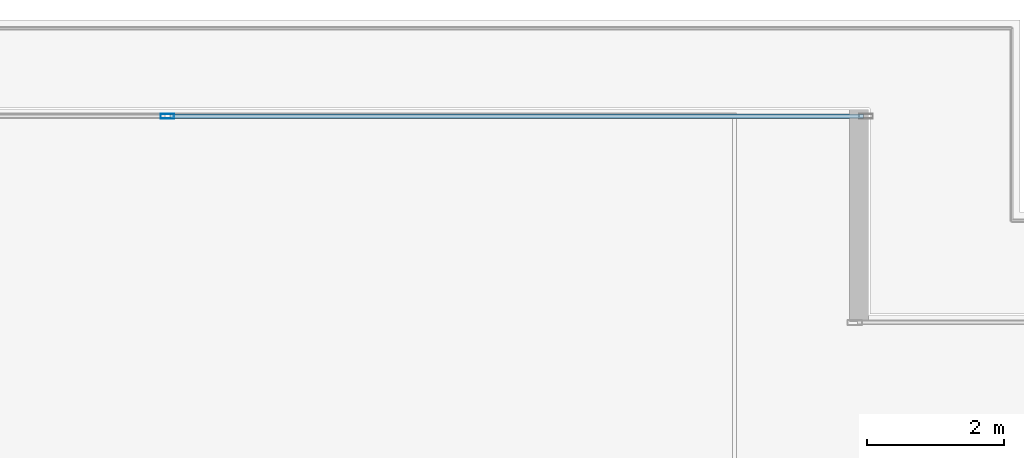
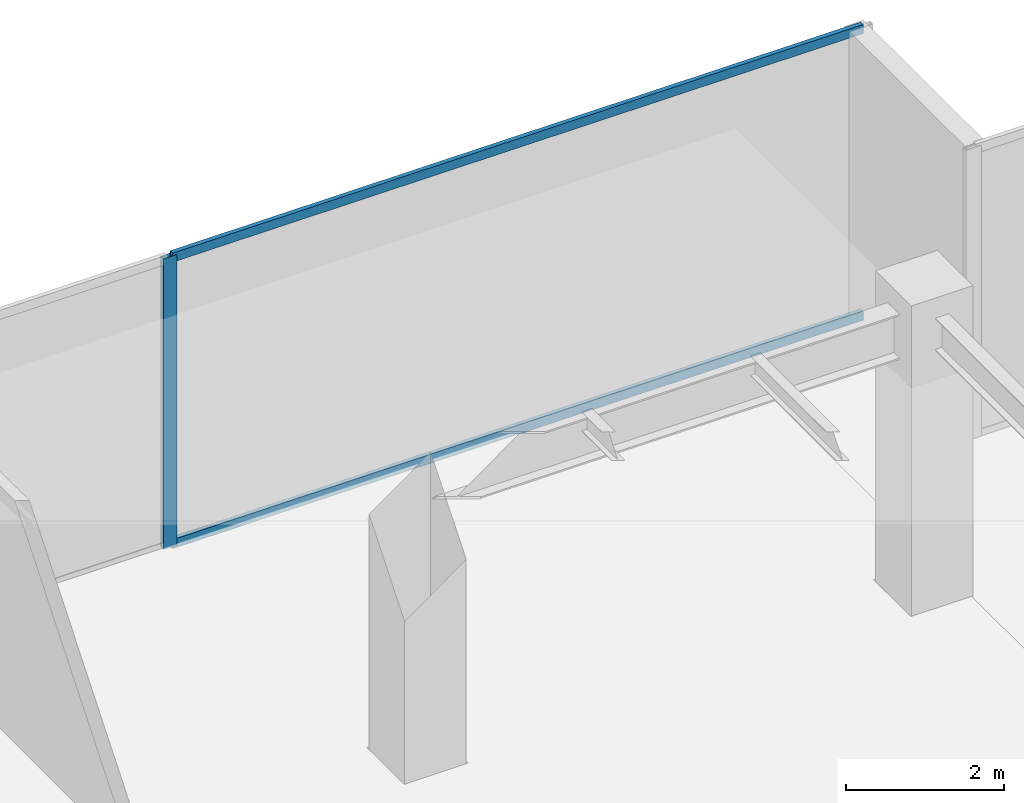
# One storey, part 20 of 33: 3 members, 1 element without a shape of its own.
"""IFC4 building model written with IfcOpenShell, lengths in metres."""

from ifc_helpers import new_model, si_unit, direction, frame, origin, origin_2d, place, context, subcontext, project, spatial, hollow_rectangle, extrude, source, transform, mapped, material, layer, layer_set, material_profile, profile_set, type_object, type_shapes, element, aggregate, save


model = new_model("IFC4")

# Units and contexts
model_context = context("Model", 3, precision=1e-05, world=origin(), true_north=direction((0.0, 1.0)))
body_context = subcontext(model_context, "Body", "Model", "MODEL_VIEW")
ifc_project = project(units=[si_unit("LENGTHUNIT", "METRE"), si_unit("AREAUNIT", "SQUARE_METRE"), si_unit("VOLUMEUNIT", "CUBIC_METRE"), si_unit("PLANEANGLEUNIT", "RADIAN"), si_unit("MASSUNIT", "GRAM", prefix="KILO")], contexts=[model_context])

# Site, building, storey
site_placement = place(None, origin())
site = spatial("IfcSite", under=ifc_project, at=site_placement, CompositionType="ELEMENT")
building_placement = place(site_placement, origin())
building = spatial("IfcBuilding", under=site, at=building_placement, Name="Haelvirn Gate Laboratories", CompositionType="ELEMENT")
storey_placement = place(building_placement, frame((0.0, 0.0, 100.300048828125)))
storey = spatial("IfcBuildingStorey", under=building, at=storey_placement, Name="L24", CompositionType="ELEMENT", Elevation=100.300048828125)

# Curtain wall, members
ifc_material_1 = material(Name="Anodised bronze unitised aluminium & triple low-E glass", Category="aluminium")
ifc_layer = layer(ifc_material_1, 0.179931640625, Name="CW-SYS-3")
ifc_layer_set = layer_set([ifc_layer], Name="Anodised bronze unitised aluminium & triple low-E glass")
curtain_wall_type = type_object("IfcCurtainWallType", Name="CW-SYS-3", PredefinedType="NOTDEFINED", material=ifc_layer_set)
curtain_wall_placement = place(storey_placement, origin())
curtain_wall = element("IfcCurtainWall", 1, at=curtain_wall_placement, inside=storey, type_object=curtain_wall_type, Name="L24 Unitised Curtain Wall CW-L24-P0-E10-1", PredefinedType="NOTDEFINED")
ifc_material_2 = material(Name="Extruded aluminium 6063-T6 (anodised bronze)", Category="aluminium")
ifc_material_profile_1 = material_profile(ifc_material_2, hollow_rectangle(XDim=0.074951171875, YDim=0.199951171875, WallThickness=0.0048828125, at=origin_2d()), Name="CWM-200x75x5")
ifc_profile_set_1 = profile_set([ifc_material_profile_1], Name="Extruded aluminium 6063-T6 (anodised bronze)")
member_type_1 = type_object("IfcMemberType", Name="CWM-T200", PredefinedType="MULLION", material=ifc_profile_set_1)
shared_shape_1 = source(origin(), body_context, "Body", "SweptSolid", [
    extrude(hollow_rectangle(XDim=0.074951171875, YDim=0.199951171875, WallThickness=0.0048828125, at=origin_2d()), origin(), (0.0, 0.0, 1.0), 4.489990234375),
])
type_shapes(member_type_1, [shared_shape_1])
member_1_placement = place(storey_placement, frame((59.60009765625, 47.199951171875, 0.0), z_axis=(0.0, 0.0, 1.0), x_axis=(0.0, 1.0, 0.0)))
member_1 = element("IfcMember", 2, at=member_1_placement, type_object=member_type_1, Name="CW3 mullion 2", PredefinedType="MULLION", context=body_context, shape_type="MappedRepresentation", body=[
    mapped(shared_shape_1, transform((0.0, 0.0, 0.0), scale=1.0)),
])
ifc_material_profile_2 = material_profile(ifc_material_2, hollow_rectangle(XDim=0.06494140625, YDim=0.139892578125, WallThickness=0.00390625, at=origin_2d()), Name="CWT-140x65x4")
ifc_profile_set_2 = profile_set([ifc_material_profile_2], Name="Extruded aluminium 6063-T6 (anodised bronze)")
member_type_2 = type_object("IfcMemberType", Name="CWT-T140", PredefinedType="USERDEFINED", material=ifc_profile_set_2)
shared_shape_2 = source(origin(), body_context, "Body", "SweptSolid", [
    extrude(hollow_rectangle(XDim=0.06494140625, YDim=0.139892578125, WallThickness=0.00390625, at=origin_2d()), origin(), (0.0, 0.0, 1.0), 10.087646484375),
])
type_shapes(member_type_2, [shared_shape_2])
member_2_placement = place(storey_placement, frame((59.637451171875, 47.199951171875, 0.032470703125), z_axis=(1.0, 0.0, 0.0), x_axis=(0.0, 1.0, 0.0)))
member_2 = element("IfcMember", 3, at=member_2_placement, type_object=member_type_2, Name="CW3 transom 2.1", ObjectType="TRANSOM", PredefinedType="USERDEFINED", context=body_context, shape_type="MappedRepresentation", body=[
    mapped(shared_shape_2, transform((0.0, 0.0, 0.0), scale=1.0)),
])
member_3_placement = place(storey_placement, frame((59.637451171875, 47.199951171875, 4.45751953125), z_axis=(1.0, 0.0, 0.0), x_axis=(0.0, 1.0, 0.0)))
member_3 = element("IfcMember", 4, at=member_3_placement, type_object=member_type_2, Name="CW3 transom 2.2", ObjectType="TRANSOM", PredefinedType="USERDEFINED", context=body_context, shape_type="MappedRepresentation", body=[
    mapped(shared_shape_2, transform((0.0, 0.0, 0.0), scale=1.0)),
])
aggregate(curtain_wall, [member_1, member_2, member_3])

save(model, "model.ifc")
